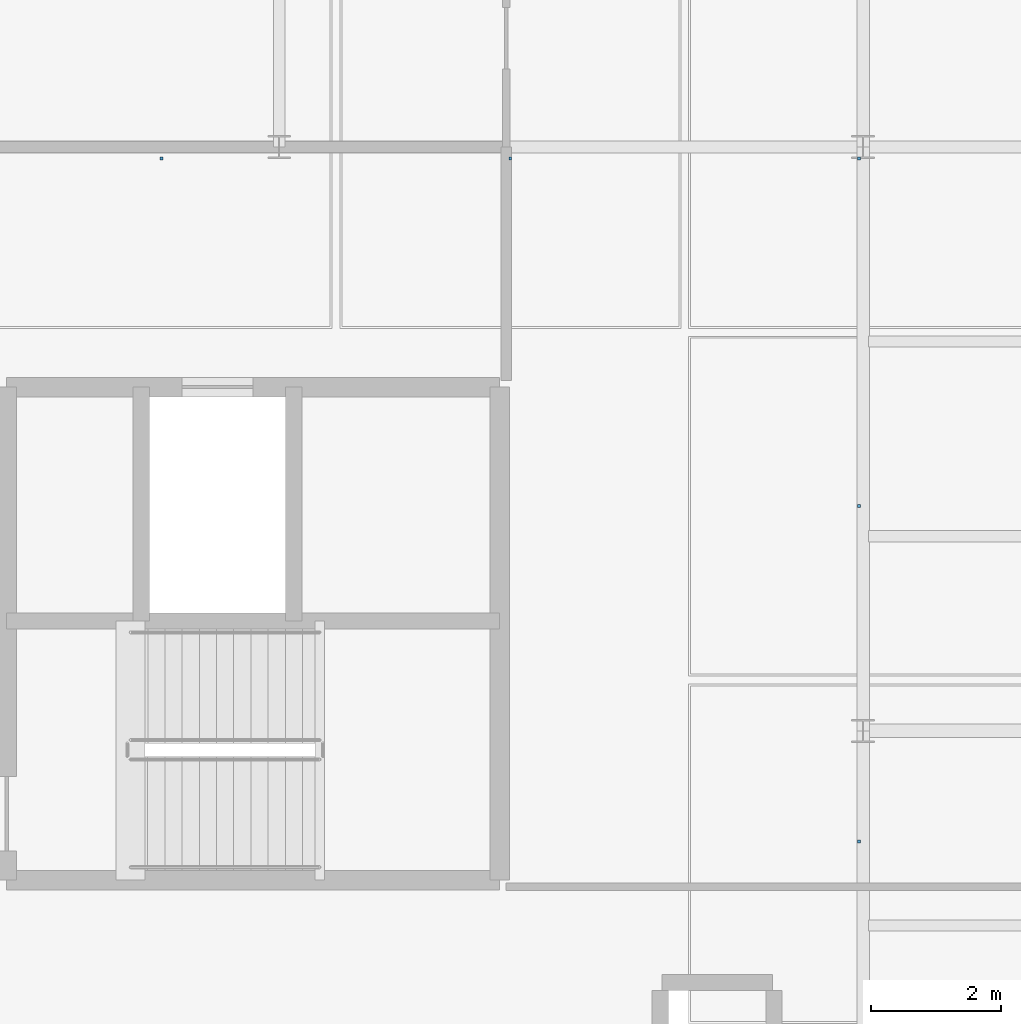
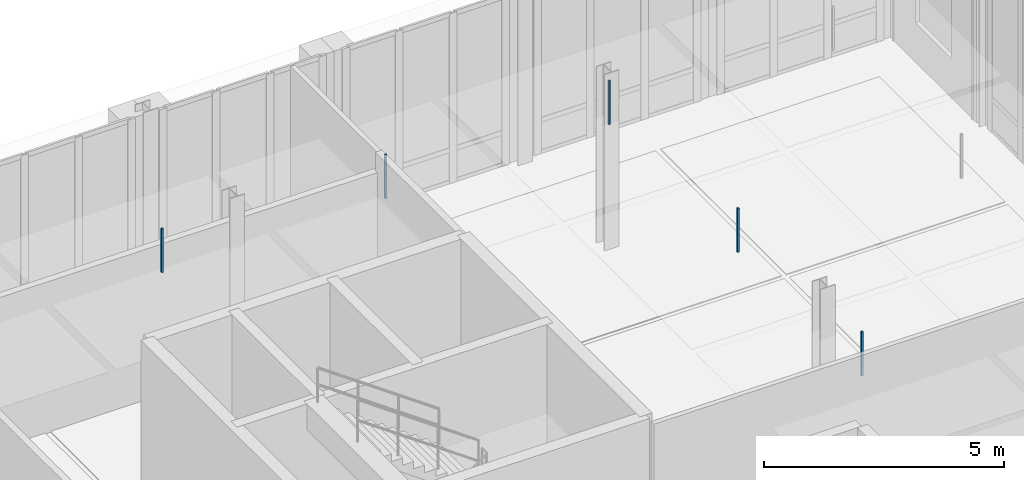
# One storey, part 125 of 140: 5 discrete accessories.
"""IFC4 building model written with IfcOpenShell, lengths in metres."""

from ifc_helpers import new_model, si_unit, direction, frame, origin, origin_2d, place, context, subcontext, project, spatial, rectangle, extrude, material, type_object, element, save


model = new_model("IFC4")

# Units and contexts
model_context = context("Model", 3, precision=1e-05, world=origin(), true_north=direction((0.0, 1.0)))
body_context = subcontext(model_context, "Body", "Model", "MODEL_VIEW")
ifc_project = project(units=[si_unit("LENGTHUNIT", "METRE"), si_unit("AREAUNIT", "SQUARE_METRE"), si_unit("VOLUMEUNIT", "CUBIC_METRE"), si_unit("PLANEANGLEUNIT", "RADIAN"), si_unit("MASSUNIT", "GRAM", prefix="KILO"), si_unit("THERMODYNAMICTEMPERATUREUNIT", "KELVIN"), si_unit("POWERUNIT", "WATT")], contexts=[model_context])

# Site, building, storey
site_placement = place(None, origin())
site = spatial("IfcSite", under=ifc_project, at=site_placement, CompositionType="ELEMENT")
building_placement = place(site_placement, origin())
building = spatial("IfcBuilding", under=site, at=building_placement, Name="Tallowbark Science Centre", CompositionType="ELEMENT")
storey_placement = place(building_placement, frame((0.0, 0.0, 9.89990234375)))
storey = spatial("IfcBuildingStorey", under=building, at=storey_placement, Name="L02", CompositionType="ELEMENT", Elevation=9.89990234375)

# Discrete accessories
ifc_material = material(Name="Galvanised Steel Grade C350L0 (350 MPa)", Category="steel")
discrete_accessory_type = type_object("IfcDiscreteAccessoryType", Name="ACC-CLG-HNG", PredefinedType="BRACKET", material=ifc_material)
for number, where, z_axis, x_axis, name in (
    (1, (137.6875, 107.8212890625, 3.2060546875), (0.0, 0.0, 1.0), (1.0, 0.0, 0.0), "Ceiling Hanger Bracket L02-926"),
    (2, (143.0625, 107.8212890625, 3.2060546875), (0.0, 0.0, 1.0), (1.0, 0.0, 0.0), "Ceiling Hanger Bracket L02-931"),
    (3, (148.4375, 97.2978515625, 3.2060546875), (0.0, 0.0, 1.0), (1.0, 0.0, 0.0), "Ceiling Hanger Bracket L02-936"),
    (4, (148.4375, 102.46435546875, 3.2060546875), (0.0, 0.0, 1.0), (1.0, 0.0, 0.0), "Ceiling Hanger Bracket L02-937"),
    (5, (148.4375, 107.8212890625, 3.2060546875), (0.0, 0.0, 1.0), (1.0, 0.0, 0.0), "Ceiling Hanger Bracket L02-938"),
):
    element("IfcDiscreteAccessory", number, at=place(storey_placement, frame(where, z_axis=z_axis, x_axis=x_axis)), inside=storey, type_object=discrete_accessory_type, Name=name, PredefinedType="BRACKET", context=body_context, shape_type="SweptSolid", body=[
        extrude(rectangle(XDim=0.044921875, YDim=0.044921875, at=origin_2d()), origin(), (0.0, 0.0, 1.0), 1.116943359375),
    ])

save(model, "model.ifc")
